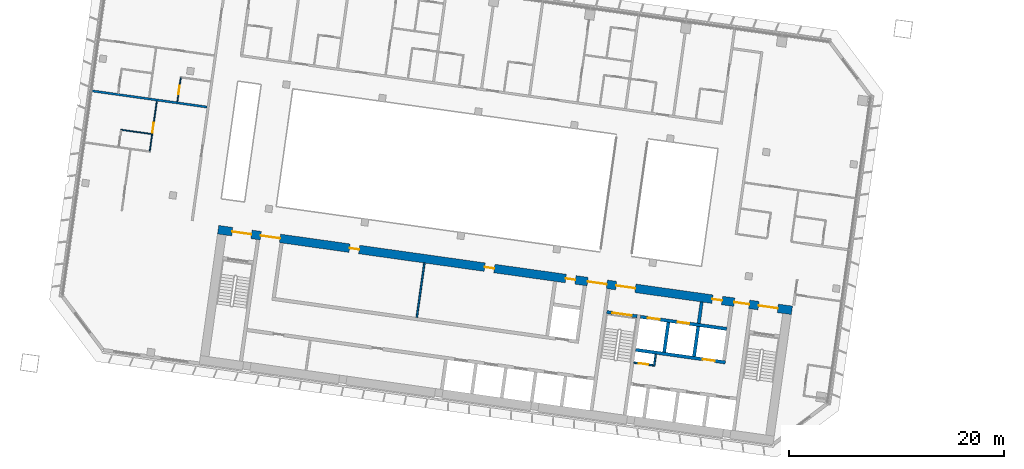
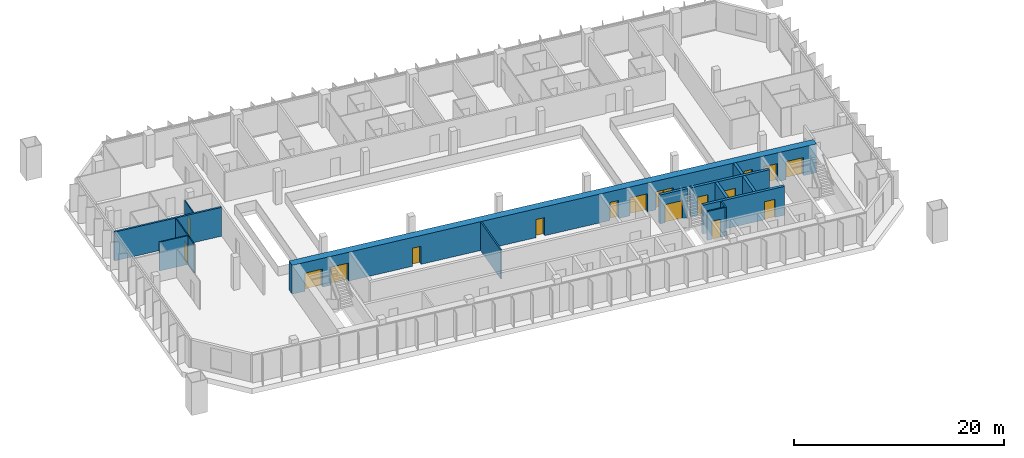
# One storey, part 15 of 26: 17 doors, 14 walls, 17 openings.
"""IFC4 building model written with IfcOpenShell, lengths in metres."""

from ifc_helpers import new_model, si_unit, direction, frame, frame_2d, origin, place, context, subcontext, project, spatial, rectangle, extrude, material, layer, layer_set, type_object, element, fill, save


model = new_model("IFC4")

# Units and contexts
model_context = context("Model", 3, precision=1e-05, world=origin(), true_north=direction((0.0, 1.0)))
body_context = subcontext(model_context, "Body", "Model", "MODEL_VIEW")
ifc_project = project(units=[si_unit("LENGTHUNIT", "METRE"), si_unit("AREAUNIT", "SQUARE_METRE"), si_unit("VOLUMEUNIT", "CUBIC_METRE"), si_unit("PLANEANGLEUNIT", "RADIAN"), si_unit("MASSUNIT", "GRAM", prefix="KILO")], contexts=[model_context])

# Site, building, storey
site_placement = place(None, origin())
site = spatial("IfcSite", under=ifc_project, at=site_placement, CompositionType="ELEMENT")
building_placement = place(site_placement, origin())
building = spatial("IfcBuilding", under=site, at=building_placement, Name="Mirante Cascada Hotel Towers", CompositionType="ELEMENT")
storey_placement = place(building_placement, frame((0.0, 0.0, 140.5)))
storey = spatial("IfcBuildingStorey", under=building, at=storey_placement, Name="L32", CompositionType="ELEMENT", Elevation=140.5)

# Walls
ifc_material_1 = material(Name="Fire-rated plasterboard on metal studs")
ifc_layer_1 = layer(ifc_material_1, 0.2)
ifc_layer_set_1 = layer_set([ifc_layer_1], Name="Compartment wall 200 EI 120")
wall_type_1 = type_object("IfcWallType", Name="Compartment wall 200 EI 120", PredefinedType="PARTITIONING", material=ifc_layer_set_1)
wall_1_placement = place(storey_placement, frame((-100.6266, 12.8067, 0.0), z_axis=(0.0, 0.0, 1.0), x_axis=(0.990268, -0.1391733, 0.0)))
element("IfcWall", 1, at=wall_1_placement, inside=storey, type_object=wall_type_1, Name="Wall 1-L32-12", PredefinedType="PARTITIONING", context=body_context, shape_type="SweptSolid", body=[
    extrude(rectangle(XDim=11.0, YDim=0.2, at=frame_2d((5.5, 0.0))), origin(), (0.0, 0.0, 1.0), 3.35),
])
ifc_material_2 = material(Name="Masonry block", Category="masonry")
ifc_layer_2 = layer(ifc_material_2, 0.15)
ifc_layer_set_2 = layer_set([ifc_layer_2], Name="Core room partition 150 block EI 30")
wall_type_2 = type_object("IfcWallType", Name="Core room partition 150 block EI 30", PredefinedType="PARTITIONING", material=ifc_layer_set_2)
wall_2_placement = place(storey_placement, frame((-48.2295, -12.793, 0.0), z_axis=(0.0, 0.0, 1.0), x_axis=(0.1391935, 0.9902652, 0.0)))
element("IfcWall", 2, at=wall_2_placement, inside=storey, type_object=wall_type_2, Name="Core wall partition T1 L32 2", PredefinedType="PARTITIONING", context=body_context, shape_type="SweptSolid", body=[
    extrude(rectangle(XDim=1.1251, YDim=0.15, at=frame_2d((0.5626, 0.0))), origin(), (0.0, 0.0, 1.0), 3.35),
])

# Wall, opening, door
wall_3_placement = place(storey_placement, frame((-48.2933, -12.7083, 0.0), z_axis=(0.0, 0.0, 1.0), x_axis=(-0.990268, 0.1391734, 0.0)))
wall_3 = element("IfcWall", 3, at=wall_3_placement, inside=storey, type_object=wall_type_2, Name="Core wall partition T1 L32 3", PredefinedType="PARTITIONING", context=body_context, shape_type="SweptSolid", body=[
    extrude(rectangle(XDim=1.8251, YDim=0.15, at=frame_2d((0.9126, 0.0))), origin(), (0.0, 0.0, 1.0), 3.35),
])
opening_1_placement = place(wall_3_placement, frame((0.4625, 0.0, 0.0)))
opening_1 = element("IfcOpeningElement", 4, at=opening_1_placement, cuts=wall_3, Name="Opening D1-32-C23", PredefinedType="OPENING", context=body_context, shape_type="SweptSolid", body=[
    extrude(rectangle(XDim=0.9, YDim=2.1, at=frame_2d((0.45, 1.05))), frame((0.0, 0.075, 0.0), z_axis=(0.0, -1.0, 0.0), x_axis=(1.0, 0.0, 0.0)), (0.0, 0.0, 1.0), 0.15),
])
ifc_material_3 = material(Name="Hollow metal fire door leaf")
door_type_1 = type_object("IfcDoorType", Name="Fire door 900x2100 FD60", OperationType="NOTDEFINED", PredefinedType="DOOR", material=ifc_material_3)
door_1_placement = place(opening_1_placement, origin())
door_1 = element("IfcDoor", 5, at=door_1_placement, inside=storey, type_object=door_type_1, Name="Riser door T1 L32 23", OperationType="SINGLE_SWING_LEFT", OverallHeight=2.1, OverallWidth=0.9, PredefinedType="DOOR", context=body_context, shape_type="SweptSolid", body=[
    extrude(rectangle(XDim=0.9, YDim=2.1, at=frame_2d((0.45, 1.05))), frame((0.0, 0.025, 0.0), z_axis=(0.0, -1.0, 0.0), x_axis=(1.0, 0.0, 0.0)), (0.0, 0.0, 1.0), 0.05),
])
fill(opening_1, door_1)

# Walls
wall_4_placement = place(storey_placement, frame((-70.2627, -8.2574, 0.0), z_axis=(0.0, 0.0, 1.0), x_axis=(0.1391755, 0.9902677, 0.0)))
element("IfcWall", 6, at=wall_4_placement, inside=storey, type_object=wall_type_2, Name="Core wall partition T1 L32 5", PredefinedType="PARTITIONING", context=body_context, shape_type="SweptSolid", body=[
    extrude(rectangle(XDim=5.1, YDim=0.15, at=frame_2d((2.55, 0.0))), origin(), (0.0, 0.0, 1.0), 3.35),
])
ifc_material_4 = material(Name="Masonry block", Category="masonry")
ifc_layer_3 = layer(ifc_material_4, 0.3)
ifc_layer_set_3 = layer_set([ifc_layer_3], Name="Core wall 300 block EI 120")
wall_type_3 = type_object("IfcWallType", Name="Core wall 300 block EI 120", PredefinedType="PARTITIONING", material=ifc_layer_set_3)
wall_5_placement = place(storey_placement, frame((-44.0843, -8.8061, 0.0), z_axis=(0.0, 0.0, 1.0), x_axis=(0.1391951, 0.990265, 0.0)))
element("IfcWall", 7, at=wall_5_placement, inside=storey, type_object=wall_type_3, Name="Core wall partition T1 L32 1", PredefinedType="PARTITIONING", context=body_context, shape_type="SweptSolid", body=[
    extrude(rectangle(XDim=2.0001, YDim=0.3, at=frame_2d((1.0001, 0.0))), origin(), (0.0, 0.0, 1.0), 3.35),
])
ifc_material_5 = material(Name="Plasterboard on metal studs")
ifc_layer_4 = layer(ifc_material_5, 0.1)
ifc_layer_set_4 = layer_set([ifc_layer_4], Name="Partition 100")
wall_type_4 = type_object("IfcWallType", Name="Partition 100", PredefinedType="PARTITIONING", material=ifc_layer_set_4)
wall_6_placement = place(storey_placement, frame((-97.7546, 9.1716, 0.0), z_axis=(0.0, 0.0, 1.0), x_axis=(0.9902683, -0.1391714, 0.0)))
element("IfcWall", 8, at=wall_6_placement, inside=storey, type_object=wall_type_4, Name="Wall 1-L32-08", PredefinedType="PARTITIONING", context=body_context, shape_type="SweptSolid", body=[
    extrude(rectangle(XDim=2.9, YDim=0.1, at=frame_2d((1.45, 0.0))), origin(), (0.0, 0.0, 1.0), 3.35),
])

# Wall, opening, door
wall_7_placement = place(storey_placement, frame((-92.1794, 13.9926, 0.0), z_axis=(0.0, 0.0, 1.0), x_axis=(-0.1391561, -0.9902705, 0.0)))
wall_7 = element("IfcWall", 9, at=wall_7_placement, inside=storey, type_object=wall_type_4, Name="Wall 1-L32-58", PredefinedType="PARTITIONING", context=body_context, shape_type="SweptSolid", body=[
    extrude(rectangle(XDim=2.25, YDim=0.1, at=frame_2d((1.125, 0.0))), origin(), (0.0, 0.0, 1.0), 3.35),
])
opening_2_placement = place(wall_7_placement, frame((0.75, 0.0, 0.0)))
opening_2 = element("IfcOpeningElement", 10, at=opening_2_placement, cuts=wall_7, Name="Opening D1-L32-35", PredefinedType="OPENING", context=body_context, shape_type="SweptSolid", body=[
    extrude(rectangle(XDim=0.8, YDim=2.1, at=frame_2d((0.4, 1.05))), frame((0.0, 0.05, 0.0), z_axis=(0.0, -1.0, 0.0), x_axis=(1.0, 0.0, 0.0)), (0.0, 0.0, 1.0), 0.1),
])
ifc_material_6 = material(Name="Timber door leaf", Category="wood")
door_type_2 = type_object("IfcDoorType", Name="Bathroom door DG4 800x2100", OperationType="SINGLE_SWING_LEFT", PredefinedType="DOOR", material=ifc_material_6)
door_2_placement = place(opening_2_placement, origin())
door_2 = element("IfcDoor", 11, at=door_2_placement, inside=storey, type_object=door_type_2, Name="Door D1-L32-35", OperationType="SINGLE_SWING_LEFT", OverallHeight=2.1, OverallWidth=0.8, PredefinedType="DOOR", context=body_context, shape_type="SweptSolid", body=[
    extrude(rectangle(XDim=0.8, YDim=2.1, at=frame_2d((0.4, 1.05))), frame((0.0, 0.025, 0.0), z_axis=(0.0, -1.0, 0.0), x_axis=(1.0, 0.0, 0.0)), (0.0, 0.0, 1.0), 0.05),
])
fill(opening_2, door_2)

wall_8_placement = place(storey_placement, frame((-95.0537, 7.1932, 0.0), z_axis=(0.0, 0.0, 1.0), x_axis=(0.139176, 0.9902677, 0.0)))
wall_8 = element("IfcWall", 12, at=wall_8_placement, inside=storey, type_object=wall_type_4, Name="Wall 1-L32-59", PredefinedType="PARTITIONING", context=body_context, shape_type="SweptSolid", body=[
    extrude(rectangle(XDim=4.6833, YDim=0.1, at=frame_2d((2.3416, 0.0))), origin(), (0.0, 0.0, 1.0), 3.35),
])
opening_3_placement = place(wall_8_placement, frame((1.7333, 0.0, 0.0)))
opening_3 = element("IfcOpeningElement", 13, at=opening_3_placement, cuts=wall_8, Name="Opening D1-L32-36", PredefinedType="OPENING", context=body_context, shape_type="SweptSolid", body=[
    extrude(rectangle(XDim=0.9, YDim=2.1, at=frame_2d((0.45, 1.05))), frame((0.0, 0.05, 0.0), z_axis=(0.0, -1.0, 0.0), x_axis=(1.0, 0.0, 0.0)), (0.0, 0.0, 1.0), 0.1),
])
ifc_material_7 = material(Name="Timber door leaf", Category="wood")
door_type_3 = type_object("IfcDoorType", Name="Room door DG3 900x2100", OperationType="SINGLE_SWING_LEFT", PredefinedType="DOOR", material=ifc_material_7)
door_3_placement = place(opening_3_placement, frame((0.9, 0.0, 0.0), z_axis=(0.0, 0.0, 1.0), x_axis=(-1.0, 0.0, 0.0)))
door_3 = element("IfcDoor", 14, at=door_3_placement, inside=storey, type_object=door_type_3, Name="Door D1-L32-36", OperationType="SINGLE_SWING_RIGHT", OverallHeight=2.1, OverallWidth=0.9, PredefinedType="DOOR", context=body_context, shape_type="SweptSolid", body=[
    extrude(rectangle(XDim=0.9, YDim=2.1, at=frame_2d((0.45, 1.05))), frame((0.0, 0.025, 0.0), z_axis=(0.0, -1.0, 0.0), x_axis=(1.0, 0.0, 0.0)), (0.0, 0.0, 1.0), 0.05),
])
fill(opening_3, door_3)

ifc_material_8 = material(Name="Concrete C50/60", Category="concrete")
ifc_layer_5 = layer(ifc_material_8, 0.3)
ifc_layer_set_5 = layer_set([ifc_layer_5], Name="RC core wall 300 C50/60")
wall_type_5 = type_object("IfcWallType", Name="RC core wall 300 C50/60", PredefinedType="SHEAR", material=ifc_layer_set_5)
wall_9_placement = place(storey_placement, frame((-49.7992, -8.1544, 0.0), z_axis=(0.0, 0.0, 1.0), x_axis=(-0.9902656, 0.1391909, 0.0)))
wall_9 = element("IfcWall", 15, at=wall_9_placement, inside=storey, type_object=wall_type_5, Name="Core wall T1:L32:10", PredefinedType="SHEAR", context=body_context, shape_type="SweptSolid", body=[
    extrude(rectangle(XDim=2.85, YDim=0.3, at=frame_2d((1.425, 0.0))), origin(), (0.0, 0.0, 1.0), 3.35),
])
opening_4_placement = place(wall_9_placement, frame((0.525, 0.0, 0.0)))
opening_4 = element("IfcOpeningElement", 16, at=opening_4_placement, cuts=wall_9, Name="Opening D1-32-C15", PredefinedType="OPENING", context=body_context, shape_type="SweptSolid", body=[
    extrude(rectangle(XDim=1.8, YDim=2.1, at=frame_2d((0.9, 1.05))), frame((0.0, 0.15, 0.0), z_axis=(0.0, -1.0, 0.0), x_axis=(1.0, 0.0, 0.0)), (0.0, 0.0, 1.0), 0.3),
])
ifc_material_9 = material(Name="Hollow metal fire door leaf")
door_type_4 = type_object("IfcDoorType", Name="Double fire door 1800x2100 FD60", OperationType="DOUBLE_DOOR_SINGLE_SWING", PredefinedType="DOOR", material=ifc_material_9)
door_4_placement = place(opening_4_placement, origin())
door_4 = element("IfcDoor", 17, at=door_4_placement, inside=storey, type_object=door_type_4, Name="Stair door T1 L32 15", OperationType="DOUBLE_DOOR_SINGLE_SWING", OverallHeight=2.1, OverallWidth=1.8, PredefinedType="DOOR", context=body_context, shape_type="SweptSolid", body=[
    extrude(rectangle(XDim=0.895, YDim=2.1, at=frame_2d((0.4475, 1.05))), frame((0.0, 0.025, 0.0), z_axis=(0.0, -1.0, 0.0), x_axis=(1.0, 0.0, 0.0)), (0.0, 0.0, 1.0), 0.05),
    extrude(rectangle(XDim=0.895, YDim=2.1, at=frame_2d((1.3525, 1.05))), frame((0.0, 0.025, 0.0), z_axis=(0.0, -1.0, 0.0), x_axis=(1.0, 0.0, 0.0)), (0.0, 0.0, 1.0), 0.05),
])
fill(opening_4, door_4)

wall_10_placement = place(storey_placement, frame((-41.6153, -12.435, 0.0), z_axis=(0.0, 0.0, 1.0), x_axis=(-0.9902691, 0.139166, 0.0)))
wall_10 = element("IfcWall", 18, at=wall_10_placement, inside=storey, type_object=wall_type_5, Name="Core wall T1:L32:13", PredefinedType="SHEAR", context=body_context, shape_type="SweptSolid", body=[
    extrude(rectangle(XDim=8.4, YDim=0.3, at=frame_2d((4.2, 0.0))), origin(), (0.0, 0.0, 1.0), 3.35),
])
opening_5_placement = place(wall_10_placement, frame((1.0, 0.0, 0.0)))
opening_5 = element("IfcOpeningElement", 19, at=opening_5_placement, cuts=wall_10, Name="Opening LD", PredefinedType="OPENING", context=body_context, shape_type="SweptSolid", body=[
    extrude(rectangle(XDim=1.1, YDim=2.1, at=frame_2d((0.55, 1.05))), frame((0.0, 0.15, 0.0), z_axis=(0.0, -1.0, 0.0), x_axis=(1.0, 0.0, 0.0)), (0.0, 0.0, 1.0), 0.3),
])
ifc_material_10 = material(Name="Stainless steel", Category="steel")
door_type_5 = type_object("IfcDoorType", Name="Lift landing door 1100x2100 EI 120", OperationType="DOUBLE_DOOR_SLIDING", PredefinedType="DOOR", material=ifc_material_10)
door_5_placement = place(opening_5_placement, origin())
door_5 = element("IfcDoor", 20, at=door_5_placement, inside=storey, type_object=door_type_5, Name="Lift landing door HR1-4 L32", OperationType="DOUBLE_DOOR_SLIDING", OverallHeight=2.1, OverallWidth=1.1, PredefinedType="DOOR", context=body_context, shape_type="SweptSolid", body=[
    extrude(rectangle(XDim=0.545, YDim=2.1, at=frame_2d((0.2725, 1.05))), frame((0.0, 0.025, 0.0), z_axis=(0.0, -1.0, 0.0), x_axis=(1.0, 0.0, 0.0)), (0.0, 0.0, 1.0), 0.05),
    extrude(rectangle(XDim=0.545, YDim=2.1, at=frame_2d((0.8275, 1.05))), frame((0.0, 0.025, 0.0), z_axis=(0.0, -1.0, 0.0), x_axis=(1.0, 0.0, 0.0)), (0.0, 0.0, 1.0), 0.05),
])
fill(opening_5, door_5)

# Wall, openings, doors
wall_11_placement = place(storey_placement, frame((-41.481, -9.3234, 0.0), z_axis=(0.0, 0.0, 1.0), x_axis=(-0.9902679, 0.1391741, 0.0)))
wall_11 = element("IfcWall", 21, at=wall_11_placement, inside=storey, type_object=wall_type_5, Name="Core wall T1:L32:14", PredefinedType="SHEAR", context=body_context, shape_type="SweptSolid", body=[
    extrude(rectangle(XDim=8.0999, YDim=0.3, at=frame_2d((4.05, 0.0))), origin(), (0.0, 0.0, 1.0), 3.35),
])
opening_6_placement = place(wall_11_placement, frame((3.5, 0.0, 0.0)))
opening_6 = element("IfcOpeningElement", 22, at=opening_6_placement, cuts=wall_11, Name="Opening LD", PredefinedType="OPENING", context=body_context, shape_type="SweptSolid", body=[
    extrude(rectangle(XDim=1.1, YDim=2.1, at=frame_2d((0.55, 1.05))), frame((0.0, 0.15, 0.0), z_axis=(0.0, -1.0, 0.0), x_axis=(1.0, 0.0, 0.0)), (0.0, 0.0, 1.0), 0.3),
])
opening_7_placement = place(wall_11_placement, frame((6.3, 0.0, 0.0)))
opening_7 = element("IfcOpeningElement", 23, at=opening_7_placement, cuts=wall_11, Name="Opening LD", PredefinedType="OPENING", context=body_context, shape_type="SweptSolid", body=[
    extrude(rectangle(XDim=1.1, YDim=2.1, at=frame_2d((0.55, 1.05))), frame((0.0, 0.15, 0.0), z_axis=(0.0, -1.0, 0.0), x_axis=(1.0, 0.0, 0.0)), (0.0, 0.0, 1.0), 0.3),
])
door_6_placement = place(opening_6_placement, origin())
door_6 = element("IfcDoor", 24, at=door_6_placement, inside=storey, type_object=door_type_5, Name="Lift landing door FF1 L32", OperationType="DOUBLE_DOOR_SLIDING", OverallHeight=2.1, OverallWidth=1.1, PredefinedType="DOOR", context=body_context, shape_type="SweptSolid", body=[
    extrude(rectangle(XDim=0.545, YDim=2.1, at=frame_2d((0.2725, 1.05))), frame((0.0, 0.025, 0.0), z_axis=(0.0, -1.0, 0.0), x_axis=(1.0, 0.0, 0.0)), (0.0, 0.0, 1.0), 0.05),
    extrude(rectangle(XDim=0.545, YDim=2.1, at=frame_2d((0.8275, 1.05))), frame((0.0, 0.025, 0.0), z_axis=(0.0, -1.0, 0.0), x_axis=(1.0, 0.0, 0.0)), (0.0, 0.0, 1.0), 0.05),
])
fill(opening_6, door_6)
door_7_placement = place(opening_7_placement, origin())
door_7 = element("IfcDoor", 25, at=door_7_placement, inside=storey, type_object=door_type_5, Name="Lift landing door FF2 L32", OperationType="DOUBLE_DOOR_SLIDING", OverallHeight=2.1, OverallWidth=1.1, PredefinedType="DOOR", context=body_context, shape_type="SweptSolid", body=[
    extrude(rectangle(XDim=0.545, YDim=2.1, at=frame_2d((0.2725, 1.05))), frame((0.0, 0.025, 0.0), z_axis=(0.0, -1.0, 0.0), x_axis=(1.0, 0.0, 0.0)), (0.0, 0.0, 1.0), 0.05),
    extrude(rectangle(XDim=0.545, YDim=2.1, at=frame_2d((0.8275, 1.05))), frame((0.0, 0.025, 0.0), z_axis=(0.0, -1.0, 0.0), x_axis=(1.0, 0.0, 0.0)), (0.0, 0.0, 1.0), 0.05),
])
fill(opening_7, door_7)

# Walls
for number, where, z_axis, x_axis, name in (
    (26, (-44.5157, -11.8759, 0.0), (0.0, 0.0, 1.0), (0.139181, 0.990267, 0.0), "Core wall T1:L32:18"),
    (27, (-47.2885, -11.4862, 0.0), (0.0, 0.0, 1.0), (0.139181, 0.990267, 0.0), "Core wall T1:L32:19"),
):
    element("IfcWall", number, at=place(storey_placement, frame(where, z_axis=z_axis, x_axis=x_axis)), inside=storey, type_object=wall_type_5, Name=name, PredefinedType="SHEAR", context=body_context, shape_type="SweptSolid", body=[
        extrude(rectangle(XDim=2.8, YDim=0.3, at=frame_2d((1.4, 0.0))), origin(), (0.0, 0.0, 1.0), 3.35),
    ])

# Wall, openings, doors
ifc_material_11 = material(Name="Concrete C50/60", Category="concrete")
ifc_layer_6 = layer(ifc_material_11, 0.8)
ifc_layer_set_6 = layer_set([ifc_layer_6], Name="RC core wall 800 C50/60")
wall_type_6 = type_object("IfcWallType", Name="RC core wall 800 C50/60", PredefinedType="SHEAR", material=ifc_layer_set_6)
wall_12_placement = place(storey_placement, frame((-35.432, -7.5985, 0.0), z_axis=(0.0, 0.0, 1.0), x_axis=(-0.9902681, 0.1391729, 0.0)))
wall_12 = element("IfcWall", 28, at=wall_12_placement, inside=storey, type_object=wall_type_6, Name="Core wall T1:L32:2", PredefinedType="SHEAR", context=body_context, shape_type="SweptSolid", body=[
    extrude(rectangle(XDim=53.8, YDim=0.8, at=frame_2d((26.9, 0.0))), origin(), (0.0, 0.0, 1.0), 3.35),
])
opening_8_placement = place(wall_12_placement, frame((1.325, 0.0, 0.0)))
opening_8 = element("IfcOpeningElement", 29, at=opening_8_placement, cuts=wall_12, Name="Opening D1-32-C14", PredefinedType="OPENING", context=body_context, shape_type="SweptSolid", body=[
    extrude(rectangle(XDim=1.8, YDim=2.1, at=frame_2d((0.9, 1.05))), frame((0.0, 0.4, 0.0), z_axis=(0.0, -1.0, 0.0), x_axis=(1.0, 0.0, 0.0)), (0.0, 0.0, 1.0), 0.8),
])
opening_9_placement = place(wall_12_placement, frame((14.675, 0.0, 0.0)))
opening_9 = element("IfcOpeningElement", 30, at=opening_9_placement, cuts=wall_12, Name="Opening D1-32-C16", PredefinedType="OPENING", context=body_context, shape_type="SweptSolid", body=[
    extrude(rectangle(XDim=1.8, YDim=2.1, at=frame_2d((0.9, 1.05))), frame((0.0, 0.4, 0.0), z_axis=(0.0, -1.0, 0.0), x_axis=(1.0, 0.0, 0.0)), (0.0, 0.0, 1.0), 0.8),
])
opening_10_placement = place(wall_12_placement, frame((50.675, 0.0, 0.0)))
opening_10 = element("IfcOpeningElement", 31, at=opening_10_placement, cuts=wall_12, Name="Opening D1-32-C18", PredefinedType="OPENING", context=body_context, shape_type="SweptSolid", body=[
    extrude(rectangle(XDim=1.8, YDim=2.1, at=frame_2d((0.9, 1.05))), frame((0.0, 0.4, 0.0), z_axis=(0.0, -1.0, 0.0), x_axis=(1.0, 0.0, 0.0)), (0.0, 0.0, 1.0), 0.8),
])
opening_11_placement = place(wall_12_placement, frame((4.0, 0.0, 0.0)))
opening_11 = element("IfcOpeningElement", 32, at=opening_11_placement, cuts=wall_12, Name="Opening D1-32-C19", PredefinedType="OPENING", context=body_context, shape_type="SweptSolid", body=[
    extrude(rectangle(XDim=1.4, YDim=2.1, at=frame_2d((0.7, 1.05))), frame((0.0, 0.4, 0.0), z_axis=(0.0, -1.0, 0.0), x_axis=(1.0, 0.0, 0.0)), (0.0, 0.0, 1.0), 0.8),
])
opening_12_placement = place(wall_12_placement, frame((17.35, 0.0, 0.0)))
opening_12 = element("IfcOpeningElement", 33, at=opening_12_placement, cuts=wall_12, Name="Opening D1-32-C20", PredefinedType="OPENING", context=body_context, shape_type="SweptSolid", body=[
    extrude(rectangle(XDim=1.8, YDim=2.1, at=frame_2d((0.9, 1.05))), frame((0.0, 0.4, 0.0), z_axis=(0.0, -1.0, 0.0), x_axis=(1.0, 0.0, 0.0)), (0.0, 0.0, 1.0), 0.8),
])
opening_13_placement = place(wall_12_placement, frame((48.0, 0.0, 0.0)))
opening_13 = element("IfcOpeningElement", 34, at=opening_13_placement, cuts=wall_12, Name="Opening D1-32-C21", PredefinedType="OPENING", context=body_context, shape_type="SweptSolid", body=[
    extrude(rectangle(XDim=1.8, YDim=2.1, at=frame_2d((0.9, 1.05))), frame((0.0, 0.4, 0.0), z_axis=(0.0, -1.0, 0.0), x_axis=(1.0, 0.0, 0.0)), (0.0, 0.0, 1.0), 0.8),
])
opening_14_placement = place(wall_12_placement, frame((6.55, 0.0, 0.0)))
opening_14 = element("IfcOpeningElement", 35, at=opening_14_placement, cuts=wall_12, Name="Opening D1-32-C24", PredefinedType="OPENING", context=body_context, shape_type="SweptSolid", body=[
    extrude(rectangle(XDim=0.9, YDim=2.1, at=frame_2d((0.45, 1.05))), frame((0.0, 0.4, 0.0), z_axis=(0.0, -1.0, 0.0), x_axis=(1.0, 0.0, 0.0)), (0.0, 0.0, 1.0), 0.8),
])
opening_15_placement = place(wall_12_placement, frame((20.3, 0.0, 0.0)))
opening_15 = element("IfcOpeningElement", 36, at=opening_15_placement, cuts=wall_12, Name="Opening D1-32-C27", PredefinedType="OPENING", context=body_context, shape_type="SweptSolid", body=[
    extrude(rectangle(XDim=0.9, YDim=2.1, at=frame_2d((0.45, 1.05))), frame((0.0, 0.4, 0.0), z_axis=(0.0, -1.0, 0.0), x_axis=(1.0, 0.0, 0.0)), (0.0, 0.0, 1.0), 0.8),
])
opening_16_placement = place(wall_12_placement, frame((27.9, 0.0, 0.0)))
opening_16 = element("IfcOpeningElement", 37, at=opening_16_placement, cuts=wall_12, Name="Opening D1-32-C28", PredefinedType="OPENING", context=body_context, shape_type="SweptSolid", body=[
    extrude(rectangle(XDim=0.9, YDim=2.1, at=frame_2d((0.45, 1.05))), frame((0.0, 0.4, 0.0), z_axis=(0.0, -1.0, 0.0), x_axis=(1.0, 0.0, 0.0)), (0.0, 0.0, 1.0), 0.8),
])
opening_17_placement = place(wall_12_placement, frame((40.575, 0.0, 0.0)))
opening_17 = element("IfcOpeningElement", 38, at=opening_17_placement, cuts=wall_12, Name="Opening D1-32-C29", PredefinedType="OPENING", context=body_context, shape_type="SweptSolid", body=[
    extrude(rectangle(XDim=0.9, YDim=2.1, at=frame_2d((0.45, 1.05))), frame((0.0, 0.4, 0.0), z_axis=(0.0, -1.0, 0.0), x_axis=(1.0, 0.0, 0.0)), (0.0, 0.0, 1.0), 0.8),
])
ifc_material_12 = material(Name="Hollow metal fire door leaf")
door_type_6 = type_object("IfcDoorType", Name="Double fire door 1400x2100 FD60", OperationType="DOUBLE_DOOR_SINGLE_SWING", PredefinedType="DOOR", material=ifc_material_12)
door_8_placement = place(opening_11_placement, frame((1.4, 0.0, 0.0), z_axis=(0.0, 0.0, 1.0), x_axis=(-1.0, 0.0, 0.0)))
door_8 = element("IfcDoor", 39, at=door_8_placement, inside=storey, type_object=door_type_6, Name="Exit door to gallery T1 L32 19", OperationType="DOUBLE_DOOR_SINGLE_SWING", OverallHeight=2.1, OverallWidth=1.4, PredefinedType="DOOR", context=body_context, shape_type="SweptSolid", body=[
    extrude(rectangle(XDim=0.695, YDim=2.1, at=frame_2d((0.3475, 1.05))), frame((0.0, 0.025, 0.0), z_axis=(0.0, -1.0, 0.0), x_axis=(1.0, 0.0, 0.0)), (0.0, 0.0, 1.0), 0.05),
    extrude(rectangle(XDim=0.695, YDim=2.1, at=frame_2d((1.0525, 1.05))), frame((0.0, 0.025, 0.0), z_axis=(0.0, -1.0, 0.0), x_axis=(1.0, 0.0, 0.0)), (0.0, 0.0, 1.0), 0.05),
])
fill(opening_11, door_8)
door_9_placement = place(opening_8_placement, origin())
door_9 = element("IfcDoor", 40, at=door_9_placement, inside=storey, type_object=door_type_4, Name="Exit door to gallery T1 L32 14", OperationType="DOUBLE_DOOR_SINGLE_SWING", OverallHeight=2.1, OverallWidth=1.8, PredefinedType="DOOR", context=body_context, shape_type="SweptSolid", body=[
    extrude(rectangle(XDim=0.895, YDim=2.1, at=frame_2d((0.4475, 1.05))), frame((0.0, 0.025, 0.0), z_axis=(0.0, -1.0, 0.0), x_axis=(1.0, 0.0, 0.0)), (0.0, 0.0, 1.0), 0.05),
    extrude(rectangle(XDim=0.895, YDim=2.1, at=frame_2d((1.3525, 1.05))), frame((0.0, 0.025, 0.0), z_axis=(0.0, -1.0, 0.0), x_axis=(1.0, 0.0, 0.0)), (0.0, 0.0, 1.0), 0.05),
])
fill(opening_8, door_9)
door_10_placement = place(opening_9_placement, origin())
door_10 = element("IfcDoor", 41, at=door_10_placement, inside=storey, type_object=door_type_4, Name="Exit door to gallery T1 L32 16", OperationType="DOUBLE_DOOR_SINGLE_SWING", OverallHeight=2.1, OverallWidth=1.8, PredefinedType="DOOR", context=body_context, shape_type="SweptSolid", body=[
    extrude(rectangle(XDim=0.895, YDim=2.1, at=frame_2d((0.4475, 1.05))), frame((0.0, 0.025, 0.0), z_axis=(0.0, -1.0, 0.0), x_axis=(1.0, 0.0, 0.0)), (0.0, 0.0, 1.0), 0.05),
    extrude(rectangle(XDim=0.895, YDim=2.1, at=frame_2d((1.3525, 1.05))), frame((0.0, 0.025, 0.0), z_axis=(0.0, -1.0, 0.0), x_axis=(1.0, 0.0, 0.0)), (0.0, 0.0, 1.0), 0.05),
])
fill(opening_9, door_10)
door_11_placement = place(opening_10_placement, origin())
door_11 = element("IfcDoor", 42, at=door_11_placement, inside=storey, type_object=door_type_4, Name="Exit door to gallery T1 L32 18", OperationType="DOUBLE_DOOR_SINGLE_SWING", OverallHeight=2.1, OverallWidth=1.8, PredefinedType="DOOR", context=body_context, shape_type="SweptSolid", body=[
    extrude(rectangle(XDim=0.895, YDim=2.1, at=frame_2d((0.4475, 1.05))), frame((0.0, 0.025, 0.0), z_axis=(0.0, -1.0, 0.0), x_axis=(1.0, 0.0, 0.0)), (0.0, 0.0, 1.0), 0.05),
    extrude(rectangle(XDim=0.895, YDim=2.1, at=frame_2d((1.3525, 1.05))), frame((0.0, 0.025, 0.0), z_axis=(0.0, -1.0, 0.0), x_axis=(1.0, 0.0, 0.0)), (0.0, 0.0, 1.0), 0.05),
])
fill(opening_10, door_11)
door_12_placement = place(opening_12_placement, frame((1.8, 0.0, 0.0), z_axis=(0.0, 0.0, 1.0), x_axis=(-1.0, 0.0, 0.0)))
door_12 = element("IfcDoor", 43, at=door_12_placement, inside=storey, type_object=door_type_4, Name="Exit door to gallery T1 L32 20", OperationType="DOUBLE_DOOR_SINGLE_SWING", OverallHeight=2.1, OverallWidth=1.8, PredefinedType="DOOR", context=body_context, shape_type="SweptSolid", body=[
    extrude(rectangle(XDim=0.895, YDim=2.1, at=frame_2d((0.4475, 1.05))), frame((0.0, 0.025, 0.0), z_axis=(0.0, -1.0, 0.0), x_axis=(1.0, 0.0, 0.0)), (0.0, 0.0, 1.0), 0.05),
    extrude(rectangle(XDim=0.895, YDim=2.1, at=frame_2d((1.3525, 1.05))), frame((0.0, 0.025, 0.0), z_axis=(0.0, -1.0, 0.0), x_axis=(1.0, 0.0, 0.0)), (0.0, 0.0, 1.0), 0.05),
])
fill(opening_12, door_12)
door_13_placement = place(opening_13_placement, frame((1.8, 0.0, 0.0), z_axis=(0.0, 0.0, 1.0), x_axis=(-1.0, 0.0, 0.0)))
door_13 = element("IfcDoor", 44, at=door_13_placement, inside=storey, type_object=door_type_4, Name="Exit door to gallery T1 L32 21", OperationType="DOUBLE_DOOR_SINGLE_SWING", OverallHeight=2.1, OverallWidth=1.8, PredefinedType="DOOR", context=body_context, shape_type="SweptSolid", body=[
    extrude(rectangle(XDim=0.895, YDim=2.1, at=frame_2d((0.4475, 1.05))), frame((0.0, 0.025, 0.0), z_axis=(0.0, -1.0, 0.0), x_axis=(1.0, 0.0, 0.0)), (0.0, 0.0, 1.0), 0.05),
    extrude(rectangle(XDim=0.895, YDim=2.1, at=frame_2d((1.3525, 1.05))), frame((0.0, 0.025, 0.0), z_axis=(0.0, -1.0, 0.0), x_axis=(1.0, 0.0, 0.0)), (0.0, 0.0, 1.0), 0.05),
])
fill(opening_13, door_13)
door_14_placement = place(opening_14_placement, origin())
door_14 = element("IfcDoor", 45, at=door_14_placement, inside=storey, type_object=door_type_1, Name="Room door T1 L32 24", OperationType="SINGLE_SWING_RIGHT", OverallHeight=2.1, OverallWidth=0.9, PredefinedType="DOOR", context=body_context, shape_type="SweptSolid", body=[
    extrude(rectangle(XDim=0.9, YDim=2.1, at=frame_2d((0.45, 1.05))), frame((0.0, 0.025, 0.0), z_axis=(0.0, -1.0, 0.0), x_axis=(1.0, 0.0, 0.0)), (0.0, 0.0, 1.0), 0.05),
])
fill(opening_14, door_14)
door_15_placement = place(opening_15_placement, origin())
door_15 = element("IfcDoor", 46, at=door_15_placement, inside=storey, type_object=door_type_1, Name="Room door T1 L32 27", OperationType="SINGLE_SWING_RIGHT", OverallHeight=2.1, OverallWidth=0.9, PredefinedType="DOOR", context=body_context, shape_type="SweptSolid", body=[
    extrude(rectangle(XDim=0.9, YDim=2.1, at=frame_2d((0.45, 1.05))), frame((0.0, 0.025, 0.0), z_axis=(0.0, -1.0, 0.0), x_axis=(1.0, 0.0, 0.0)), (0.0, 0.0, 1.0), 0.05),
])
fill(opening_15, door_15)
door_16_placement = place(opening_16_placement, origin())
door_16 = element("IfcDoor", 47, at=door_16_placement, inside=storey, type_object=door_type_1, Name="Room door T1 L32 28", OperationType="SINGLE_SWING_LEFT", OverallHeight=2.1, OverallWidth=0.9, PredefinedType="DOOR", context=body_context, shape_type="SweptSolid", body=[
    extrude(rectangle(XDim=0.9, YDim=2.1, at=frame_2d((0.45, 1.05))), frame((0.0, 0.025, 0.0), z_axis=(0.0, -1.0, 0.0), x_axis=(1.0, 0.0, 0.0)), (0.0, 0.0, 1.0), 0.05),
])
fill(opening_16, door_16)
door_17_placement = place(opening_17_placement, origin())
door_17 = element("IfcDoor", 48, at=door_17_placement, inside=storey, type_object=door_type_1, Name="Room door T1 L32 29", OperationType="SINGLE_SWING_LEFT", OverallHeight=2.1, OverallWidth=0.9, PredefinedType="DOOR", context=body_context, shape_type="SweptSolid", body=[
    extrude(rectangle(XDim=0.9, YDim=2.1, at=frame_2d((0.45, 1.05))), frame((0.0, 0.025, 0.0), z_axis=(0.0, -1.0, 0.0), x_axis=(1.0, 0.0, 0.0)), (0.0, 0.0, 1.0), 0.05),
])
fill(opening_17, door_17)

save(model, "model.ifc")
